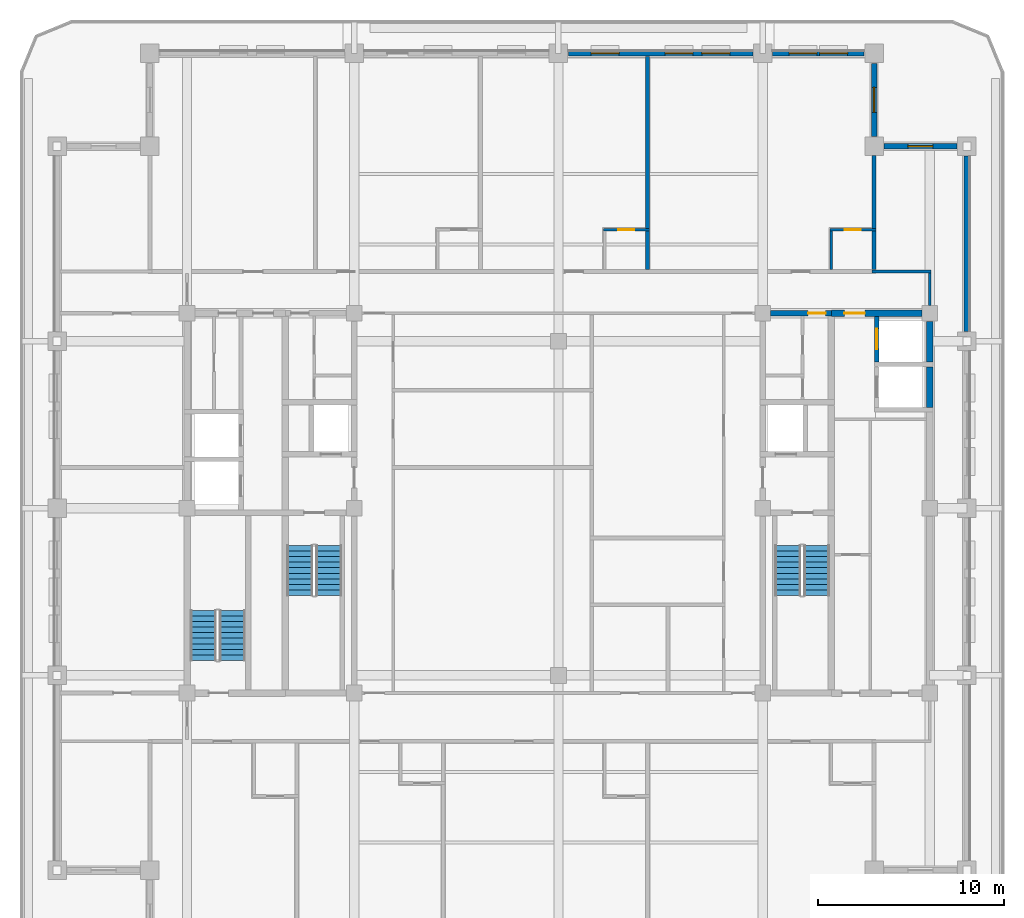
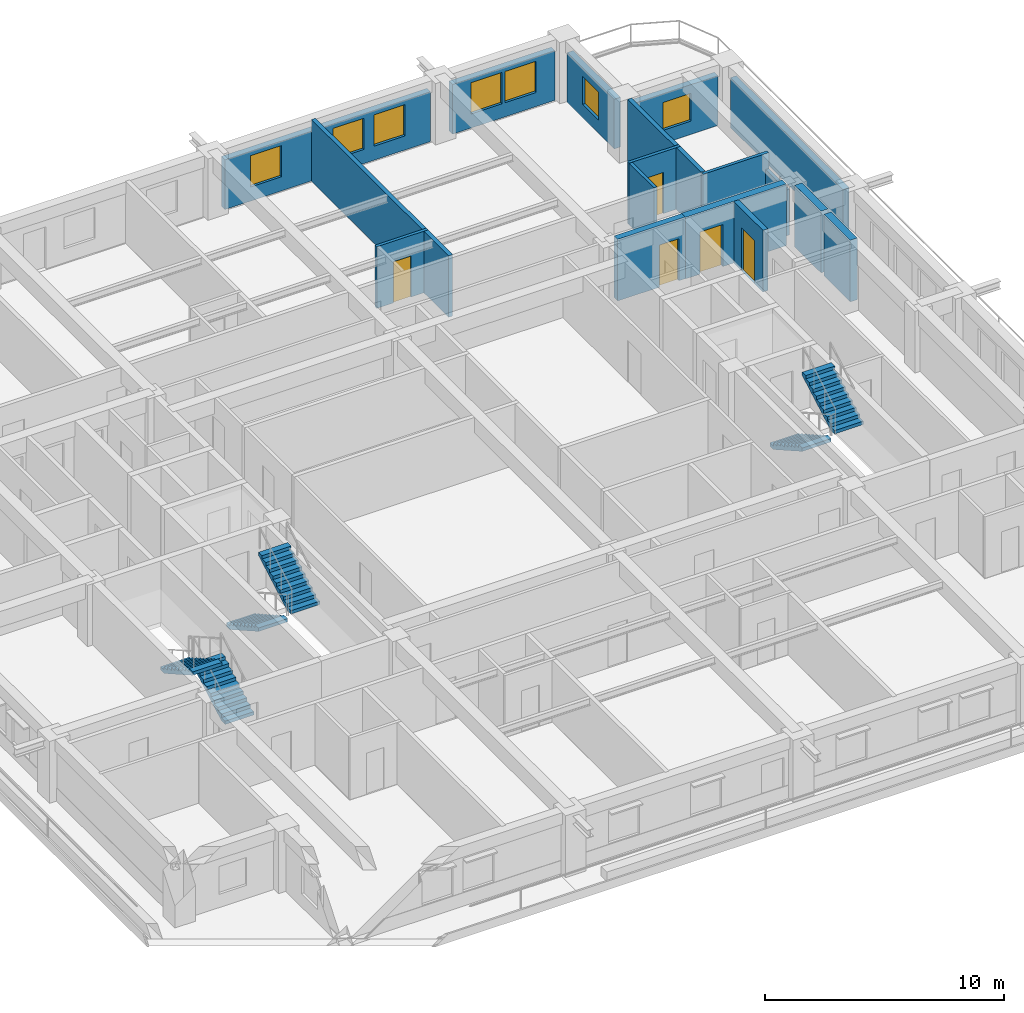
# One storey, part 7 of 14: 19 walls, 7 windows, 6 stair flights, 5 doors, 12 openings, 3 elements without a shape of their own.
"""IFC4 building model written with IfcOpenShell, lengths in metres."""

from ifc_helpers import new_model, si_unit, direction, frame, frame_2d, origin, place, context, subcontext, project, spatial, polyline, rectangle, outline, extrude, material, layer, layer_set, type_object, element, fill, aggregate, save


model = new_model("IFC4")

# Units and contexts
model_context = context("Model", 3, precision=1e-05, world=origin(), true_north=direction((0.0, 1.0)))
body_context = subcontext(model_context, "Body", "Model", "MODEL_VIEW")
ifc_project = project(units=[si_unit("LENGTHUNIT", "METRE"), si_unit("AREAUNIT", "SQUARE_METRE"), si_unit("VOLUMEUNIT", "CUBIC_METRE"), si_unit("PLANEANGLEUNIT", "RADIAN"), si_unit("MASSUNIT", "GRAM", prefix="KILO")], contexts=[model_context])

# Site, building, storey
site_placement = place(None, origin())
site = spatial("IfcSite", under=ifc_project, at=site_placement, CompositionType="ELEMENT")
building_placement = place(site_placement, origin())
building = spatial("IfcBuilding", under=site, at=building_placement, Name="Zulmaris Gate Convention Tower", CompositionType="ELEMENT")
storey_placement = place(building_placement, frame((0.0, 0.0, 205.06005859375)))
storey = spatial("IfcBuildingStorey", under=building, at=storey_placement, Name="L53", CompositionType="ELEMENT", Elevation=205.06005859375)

# Wall, opening, door
ifc_material_1 = material(Name="Concrete C50/60", Category="concrete")
ifc_layer_1 = layer(ifc_material_1, 0.25, Name="Concrete C50/60")
ifc_layer_set_1 = layer_set([ifc_layer_1], Name="Concrete C50/60")
wall_type_1 = type_object("IfcWallType", Name="CORE-250", PredefinedType="SOLIDWALL", material=ifc_layer_set_1)
wall_1_placement = place(storey_placement, frame((17.14990234375, 7.876953125, 0.0), z_axis=(0.0, 0.0, 1.0), x_axis=(0.0, 1.0, 0.0)))
wall_1 = element("IfcWall", 1, at=wall_1_placement, inside=storey, type_object=wall_type_1, Name="WL-L53-073", PredefinedType="SOLIDWALL", context=body_context, shape_type="SweptSolid", body=[
    extrude(rectangle(XDim=2.446044921875, YDim=0.25, at=frame_2d((1.22314453125, 0.0))), origin(), (0.0, 0.0, 1.0), 3.14990234375),
])
opening_1_placement = place(wall_1_placement, frame((0.697998046875, 0.0, 0.0)))
opening_1 = element("IfcOpeningElement", 2, at=opening_1_placement, cuts=wall_1, Name="Opening D-06", PredefinedType="OPENING", context=body_context, shape_type="SweptSolid", body=[
    extrude(rectangle(XDim=1.10009765625, YDim=2.199951171875, at=frame_2d((0.550048828125, 1.10009765625))), frame((0.0, 0.135009765625, 0.0), z_axis=(0.0, -1.0, 0.0), x_axis=(1.0, 0.0, 0.0)), (0.0, 0.0, 1.0), 0.27001953125),
])
ifc_material_2 = material(Name="Brushed Stainless Steel", Category="steel")
door_type_1 = type_object("IfcDoorType", Name="LD-1100", OperationType="NOTDEFINED", PredefinedType="DOOR", material=ifc_material_2)
door_1_placement = place(opening_1_placement, origin())
door_1 = element("IfcDoor", 3, at=door_1_placement, inside=storey, type_object=door_type_1, Name="L53 Lift Landing Door HP-02 20", OperationType="SLIDING_TO_RIGHT", OverallHeight=2.199951171875, OverallWidth=1.10009765625, PredefinedType="DOOR", context=body_context, shape_type="SweptSolid", body=[
    extrude(rectangle(XDim=1.10009765625, YDim=2.199951171875, at=frame_2d((0.550048828125, 1.10009765625))), frame((0.0, 0.02490234375, 0.0), z_axis=(0.0, -1.0, 0.0), x_axis=(1.0, 0.0, 0.0)), (0.0, 0.0, 1.0), 0.050048828125),
])
fill(opening_1, door_1)

ifc_layer_2 = layer(ifc_material_1, 0.300048828125, Name="Concrete C50/60")
ifc_layer_set_2 = layer_set([ifc_layer_2], Name="Concrete C50/60")
wall_type_2 = type_object("IfcWallType", Name="CORE-300", PredefinedType="SHEAR", material=ifc_layer_set_2)
wall_2_placement = place(storey_placement, frame((11.428955078125, 10.5, 0.0), z_axis=(0.0, 0.0, 1.0), x_axis=(1.0, 0.0, 0.0)))
wall_2 = element("IfcWall", 4, at=wall_2_placement, inside=storey, type_object=wall_type_2, Name="WL-L53-017", PredefinedType="SHEAR", context=body_context, shape_type="SweptSolid", body=[
    extrude(rectangle(XDim=3.27099609375, YDim=0.300048828125, at=frame_2d((1.635498046875, 0.0))), origin(), (0.0, 0.0, 1.0), 3.14990234375),
])
opening_2_placement = place(wall_2_placement, frame((2.01611328125, 0.0, 0.0)))
opening_2 = element("IfcOpeningElement", 5, at=opening_2_placement, cuts=wall_2, Name="Opening D-11", PredefinedType="OPENING", context=body_context, shape_type="SweptSolid", body=[
    extrude(rectangle(XDim=0.949951171875, YDim=2.14990234375, at=frame_2d((0.47509765625, 1.074951171875))), frame((0.0, 0.16015625, 0.0), z_axis=(0.0, -1.0, 0.0), x_axis=(1.0, 0.0, 0.0)), (0.0, 0.0, 1.0), 0.320068359375),
])
ifc_material_3 = material(Name="Fire-Rated Timber", Category="wood")
door_type_2 = type_object("IfcDoorType", Name="DR-950-FD", OperationType="NOTDEFINED", PredefinedType="DOOR", material=ifc_material_3)
door_2_placement = place(opening_2_placement, origin())
door_2 = element("IfcDoor", 6, at=door_2_placement, inside=storey, type_object=door_type_2, Name="L53 Core East Passage Door 10", OperationType="SINGLE_SWING_LEFT", OverallHeight=2.14990234375, OverallWidth=0.949951171875, PredefinedType="DOOR", context=body_context, shape_type="SweptSolid", body=[
    extrude(rectangle(XDim=0.949951171875, YDim=2.14990234375, at=frame_2d((0.47509765625, 1.074951171875))), frame((0.0, 0.02490234375, 0.0), z_axis=(0.0, -1.0, 0.0), x_axis=(1.0, 0.0, 0.0)), (0.0, 0.0, 1.0), 0.050048828125),
])
fill(opening_2, door_2)

ifc_material_4 = material(Name="Concrete C55/67", Category="concrete")
ifc_layer_3 = layer(ifc_material_4, 0.35009765625, Name="Concrete C55/67")
ifc_layer_set_3 = layer_set([ifc_layer_3], Name="Concrete C55/67")
wall_type_3 = type_object("IfcWallType", Name="CORE-350", PredefinedType="SHEAR", material=ifc_layer_set_3)
wall_3_placement = place(storey_placement, frame((14.699951171875, 10.5, 0.0), z_axis=(0.0, 0.0, 1.0), x_axis=(1.0, 0.0, 0.0)))
wall_3 = element("IfcWall", 7, at=wall_3_placement, inside=storey, type_object=wall_type_3, Name="WL-L53-018", PredefinedType="SHEAR", context=body_context, shape_type="SweptSolid", body=[
    extrude(rectangle(XDim=4.87109375, YDim=0.35009765625, at=frame_2d((2.435546875, 0.0))), origin(), (0.0, 0.0, 1.0), 3.14990234375),
])
opening_3_placement = place(wall_3_placement, frame((0.699951171875, 0.0, 0.0)))
opening_3 = element("IfcOpeningElement", 8, at=opening_3_placement, cuts=wall_3, Name="Opening D-08", PredefinedType="OPENING", context=body_context, shape_type="SweptSolid", body=[
    extrude(rectangle(XDim=1.10009765625, YDim=2.14990234375, at=frame_2d((0.550048828125, 1.074951171875))), frame((0.0, 0.18505859375, 0.0), z_axis=(0.0, -1.0, 0.0), x_axis=(1.0, 0.0, 0.0)), (0.0, 0.0, 1.0), 0.3701171875),
])
ifc_material_5 = material(Name="Fire-Rated Steel", Category="steel")
door_type_3 = type_object("IfcDoorType", Name="DR-1100-FD", OperationType="NOTDEFINED", PredefinedType="DOOR", material=ifc_material_5)
door_3_placement = place(opening_3_placement, origin())
door_3 = element("IfcDoor", 9, at=door_3_placement, inside=storey, type_object=door_type_3, Name="L53 High-Rise East Lift Lobby Door 21", OperationType="SINGLE_SWING_RIGHT", OverallHeight=2.14990234375, OverallWidth=1.10009765625, PredefinedType="DOOR", context=body_context, shape_type="SweptSolid", body=[
    extrude(rectangle(XDim=1.10009765625, YDim=2.14990234375, at=frame_2d((0.550048828125, 1.074951171875))), frame((0.0, 0.02490234375, 0.0), z_axis=(0.0, -1.0, 0.0), x_axis=(1.0, 0.0, 0.0)), (0.0, 0.0, 1.0), 0.050048828125),
])
fill(opening_3, door_3)

# Walls
wall_4_placement = place(storey_placement, frame((20.0, 5.427001953125, 0.0), z_axis=(0.0, 0.0, 1.0), x_axis=(0.0, 1.0, 0.0)))
element("IfcWall", 10, at=wall_4_placement, inside=storey, type_object=wall_type_3, Name="WL-L53-075", PredefinedType="SHEAR", context=body_context, shape_type="SweptSolid", body=[
    extrude(rectangle(XDim=2.196044921875, YDim=0.35009765625, at=frame_2d((1.09814453125, 0.0))), origin(), (0.0, 0.0, 1.0), 3.14990234375),
])
wall_5_placement = place(storey_placement, frame((20.0, 7.876953125, 0.0), z_axis=(0.0, 0.0, 1.0), x_axis=(0.0, 1.0, 0.0)))
element("IfcWall", 11, at=wall_5_placement, inside=storey, type_object=wall_type_3, Name="WL-L53-076", PredefinedType="SHEAR", context=body_context, shape_type="SweptSolid", body=[
    extrude(rectangle(XDim=2.194091796875, YDim=0.35009765625, at=frame_2d((1.09716796875, 0.0))), origin(), (0.0, 0.0, 1.0), 3.14990234375),
])
ifc_material_6 = material(Name="Gypsum Metal Stud Partition")
ifc_layer_4 = layer(ifc_material_6, 0.14990234375, Name="Gypsum Metal Stud Partition")
ifc_layer_set_4 = layer_set([ifc_layer_4], Name="Gypsum Metal Stud Partition")
wall_type_4 = type_object("IfcWallType", Name="PART-150", PredefinedType="PARTITIONING", material=ifc_layer_set_4)
wall_6_placement = place(storey_placement, frame((16.89990234375, 12.75, 0.0), z_axis=(0.0, 0.0, 1.0), x_axis=(1.0, 0.0, 0.0)))
element("IfcWall", 12, at=wall_6_placement, inside=storey, type_object=wall_type_4, Name="WL-L53-041", PredefinedType="PARTITIONING", context=body_context, shape_type="SweptSolid", body=[
    extrude(rectangle(XDim=3.175048828125, YDim=0.14990234375, at=frame_2d((1.58740234375, 0.0))), origin(), (0.0, 0.0, 1.0), 3.14990234375),
])

# Wall, opening, door
wall_7_placement = place(storey_placement, frame((2.425048828125, 15.0, 0.0), z_axis=(0.0, 0.0, 1.0), x_axis=(1.0, 0.0, 0.0)))
wall_7 = element("IfcWall", 13, at=wall_7_placement, inside=storey, type_object=wall_type_4, Name="WL-L53-043", PredefinedType="PARTITIONING", context=body_context, shape_type="SweptSolid", body=[
    extrude(rectangle(XDim=2.474853515625, YDim=0.14990234375, at=frame_2d((1.2373046875, 0.0))), origin(), (0.0, 0.0, 1.0), 3.14990234375),
])
opening_4_placement = place(wall_7_placement, frame((0.800048828125, 0.0, 0.0)))
opening_4 = element("IfcOpeningElement", 14, at=opening_4_placement, cuts=wall_7, Name="Opening D-17", PredefinedType="OPENING", context=body_context, shape_type="SweptSolid", body=[
    extrude(rectangle(XDim=0.85009765625, YDim=2.10009765625, at=frame_2d((0.425048828125, 1.050048828125))), frame((0.0, 0.0849609375, 0.0), z_axis=(0.0, -1.0, 0.0), x_axis=(1.0, 0.0, 0.0)), (0.0, 0.0, 1.0), 0.169921875),
])
ifc_material_7 = material(Name="Moisture-Resistant Hardwood Timber", Category="wood")
door_type_4 = type_object("IfcDoorType", Name="DR-850", OperationType="NOTDEFINED", PredefinedType="DOOR", material=ifc_material_7)
door_4_placement = place(opening_4_placement, origin())
door_4 = element("IfcDoor", 15, at=door_4_placement, inside=storey, type_object=door_type_4, Name="L53 En-Suite Door 33", OperationType="SINGLE_SWING_RIGHT", OverallHeight=2.10009765625, OverallWidth=0.85009765625, PredefinedType="DOOR", context=body_context, shape_type="SweptSolid", body=[
    extrude(rectangle(XDim=0.85009765625, YDim=2.10009765625, at=frame_2d((0.425048828125, 1.050048828125))), frame((0.0, 0.02490234375, 0.0), z_axis=(0.0, -1.0, 0.0), x_axis=(1.0, 0.0, 0.0)), (0.0, 0.0, 1.0), 0.050048828125),
])
fill(opening_4, door_4)

wall_8_placement = place(storey_placement, frame((14.625, 15.0, 0.0), z_axis=(0.0, 0.0, 1.0), x_axis=(1.0, 0.0, 0.0)))
wall_8 = element("IfcWall", 16, at=wall_8_placement, inside=storey, type_object=wall_type_4, Name="WL-L53-044", PredefinedType="PARTITIONING", context=body_context, shape_type="SweptSolid", body=[
    extrude(rectangle(XDim=2.47509765625, YDim=0.14990234375, at=frame_2d((1.237548828125, 0.0))), origin(), (0.0, 0.0, 1.0), 3.14990234375),
])
opening_5_placement = place(wall_8_placement, frame((0.800048828125, 0.0, 0.0)))
opening_5 = element("IfcOpeningElement", 17, at=opening_5_placement, cuts=wall_8, Name="Opening D-17", PredefinedType="OPENING", context=body_context, shape_type="SweptSolid", body=[
    extrude(rectangle(XDim=0.85009765625, YDim=2.10009765625, at=frame_2d((0.425048828125, 1.050048828125))), frame((0.0, 0.0849609375, 0.0), z_axis=(0.0, -1.0, 0.0), x_axis=(1.0, 0.0, 0.0)), (0.0, 0.0, 1.0), 0.169921875),
])
door_5_placement = place(opening_5_placement, origin())
door_5 = element("IfcDoor", 18, at=door_5_placement, inside=storey, type_object=door_type_4, Name="L53 En-Suite Door 35", OperationType="SINGLE_SWING_RIGHT", OverallHeight=2.10009765625, OverallWidth=0.85009765625, PredefinedType="DOOR", context=body_context, shape_type="SweptSolid", body=[
    extrude(rectangle(XDim=0.85009765625, YDim=2.10009765625, at=frame_2d((0.425048828125, 1.050048828125))), frame((0.0, 0.02490234375, 0.0), z_axis=(0.0, -1.0, 0.0), x_axis=(1.0, 0.0, 0.0)), (0.0, 0.0, 1.0), 0.050048828125),
])
fill(opening_5, door_5)

# Walls
wall_9_placement = place(storey_placement, frame((14.699951171875, 12.85302734375, 0.0), z_axis=(0.0, 0.0, 1.0), x_axis=(0.0, 1.0, 0.0)))
element("IfcWall", 19, at=wall_9_placement, inside=storey, type_object=wall_type_4, Name="WL-L53-116", PredefinedType="PARTITIONING", context=body_context, shape_type="SweptSolid", body=[
    extrude(rectangle(XDim=2.069091796875, YDim=0.14990234375, at=frame_2d((1.03466796875, 0.0))), origin(), (0.0, 0.0, 1.0), 3.14990234375),
])
wall_10_placement = place(storey_placement, frame((20.0, 10.930908203125, 0.0), z_axis=(0.0, 0.0, 1.0), x_axis=(0.0, 1.0, 0.0)))
element("IfcWall", 20, at=wall_10_placement, inside=storey, type_object=wall_type_4, Name="WL-L53-124", PredefinedType="PARTITIONING", context=body_context, shape_type="SweptSolid", body=[
    extrude(rectangle(XDim=1.7412109375, YDim=0.14990234375, at=frame_2d((0.87060546875, 0.0))), origin(), (0.0, 0.0, 1.0), 2.342041015625),
])
ifc_material_8 = material(Name="Autoclaved Aerated Concrete Block and Plasterboard", Category="concrete")
ifc_layer_5 = layer(ifc_material_8, 0.199951171875, Name="Autoclaved Aerated Concrete Block and Plasterboard")
ifc_layer_set_5 = layer_set([ifc_layer_5], Name="Autoclaved Aerated Concrete Block and Plasterboard")
wall_type_5 = type_object("IfcWallType", Name="PART-200", PredefinedType="PARTITIONING", material=ifc_layer_set_5)
wall_11_placement = place(storey_placement, frame((4.800048828125, 12.85302734375, 0.0), z_axis=(0.0, 0.0, 1.0), x_axis=(0.0, 1.0, 0.0)))
element("IfcWall", 21, at=wall_11_placement, inside=storey, type_object=wall_type_5, Name="WL-L53-107", PredefinedType="PARTITIONING", context=body_context, shape_type="SweptSolid", body=[
    extrude(rectangle(XDim=2.069091796875, YDim=0.199951171875, at=frame_2d((1.03466796875, 0.0))), origin(), (0.0, 0.0, 1.0), 3.14990234375),
])
wall_12_placement = place(storey_placement, frame((4.800048828125, 15.077880859375, 0.0), z_axis=(0.0, 0.0, 1.0), x_axis=(0.0, 1.0, 0.0)))
element("IfcWall", 22, at=wall_12_placement, inside=storey, type_object=wall_type_5, Name="WL-L53-108", PredefinedType="PARTITIONING", context=body_context, shape_type="SweptSolid", body=[
    extrude(rectangle(XDim=9.257080078125, YDim=0.199951171875, at=frame_2d((4.62841796875, 0.0))), origin(), (0.0, 0.0, 1.0), 3.14990234375),
])
wall_13_placement = place(storey_placement, frame((17.0, 12.85302734375, 0.0), z_axis=(0.0, 0.0, 1.0), x_axis=(0.0, 1.0, 0.0)))
element("IfcWall", 23, at=wall_13_placement, inside=storey, type_object=wall_type_5, Name="WL-L53-121", PredefinedType="PARTITIONING", context=body_context, shape_type="SweptSolid", body=[
    extrude(rectangle(XDim=2.069091796875, YDim=0.199951171875, at=frame_2d((1.03466796875, 0.0))), origin(), (0.0, 0.0, 1.0), 3.14990234375),
])
wall_14_placement = place(storey_placement, frame((17.0, 15.077880859375, 0.0), z_axis=(0.0, 0.0, 1.0), x_axis=(0.0, 1.0, 0.0)))
element("IfcWall", 24, at=wall_14_placement, inside=storey, type_object=wall_type_5, Name="WL-L53-122", PredefinedType="PARTITIONING", context=body_context, shape_type="SweptSolid", body=[
    extrude(rectangle(XDim=3.916015625, YDim=0.199951171875, at=frame_2d((1.9580078125, 0.0))), origin(), (0.0, 0.0, 1.0), 3.14990234375),
])

# Wall, opening, window
ifc_material_9 = material(Name="Precast concrete C40/50", Category="concrete")
ifc_layer_6 = layer(ifc_material_9, 0.300048828125, Name="Precast concrete C40/50")
ifc_layer_set_6 = layer_set([ifc_layer_6], Name="Precast concrete C40/50")
wall_type_6 = type_object("IfcWallType", Name="PRECAST-PIER-300", PredefinedType="STANDARD", material=ifc_layer_set_6)
wall_15_placement = place(storey_placement, frame((21.469970703125, 19.5, 0.0), z_axis=(0.0, 0.0, 1.0), x_axis=(-1.0, 0.0, 0.0)))
wall_15 = element("IfcWall", 25, at=wall_15_placement, inside=storey, type_object=wall_type_6, Name="EW-L53-NOTCH-NE1_0", PredefinedType="STANDARD", context=body_context, shape_type="SweptSolid", body=[
    extrude(rectangle(XDim=3.93994140625, YDim=0.300048828125, at=frame_2d((1.969970703125, 0.0))), origin(), (0.0, 0.0, 1.0), 2.5419921875),
])
opening_6_placement = place(wall_15_placement, frame((1.294921875, 0.0, 0.679931640625)))
opening_6 = element("IfcOpeningElement", 26, at=opening_6_placement, cuts=wall_15, Name="Opening W-10", PredefinedType="OPENING", context=body_context, shape_type="SweptSolid", body=[
    extrude(rectangle(XDim=1.35009765625, YDim=1.419921875, at=frame_2d((0.675048828125, 0.7099609375))), frame((0.0, 0.16015625, 0.0), z_axis=(0.0, -1.0, 0.0), x_axis=(1.0, 0.0, 0.0)), (0.0, 0.0, 1.0), 0.320068359375),
])
ifc_material_10 = material(Name="Low-E Laminated Double Glazing in Aluminium Frame", Category="aluminium")
window_type_1 = type_object("IfcWindowType", Name="WIN-1350x2000", PartitioningType="SINGLE_PANEL", PredefinedType="WINDOW", material=ifc_material_10)
window_1_placement = place(opening_6_placement, origin())
window_1 = element("IfcWindow", 27, at=window_1_placement, inside=storey, type_object=window_type_1, Name="WN-EW-L53-NOTCH-NE1_0", OverallHeight=1.419921875, OverallWidth=1.35009765625, PartitioningType="SINGLE_PANEL", PredefinedType="WINDOW", context=body_context, shape_type="SweptSolid", body=[
    extrude(rectangle(XDim=1.35009765625, YDim=1.419921875, at=frame_2d((0.675048828125, 0.7099609375))), frame((0.0, 0.030029296875, 0.0), z_axis=(0.0, -1.0, 0.0), x_axis=(1.0, 0.0, 0.0)), (0.0, 0.0, 1.0), 0.06005859375),
])
fill(opening_6, window_1)

wall_16_placement = place(storey_placement, frame((17.0, 20.030029296875, 0.0), z_axis=(0.0, 0.0, 1.0), x_axis=(0.0, 1.0, 0.0)))
wall_16 = element("IfcWall", 28, at=wall_16_placement, inside=storey, type_object=wall_type_6, Name="EW-L53-NOTCH-NE2_0", PredefinedType="STANDARD", context=body_context, shape_type="SweptSolid", body=[
    extrude(rectangle(XDim=3.93994140625, YDim=0.300048828125, at=frame_2d((1.969970703125, 0.0))), origin(), (0.0, 0.0, 1.0), 2.5419921875),
])
opening_7_placement = place(wall_16_placement, frame((1.294921875, 0.0, 0.679931640625)))
opening_7 = element("IfcOpeningElement", 29, at=opening_7_placement, cuts=wall_16, Name="Opening W-10", PredefinedType="OPENING", context=body_context, shape_type="SweptSolid", body=[
    extrude(rectangle(XDim=1.35009765625, YDim=1.419921875, at=frame_2d((0.675048828125, 0.7099609375))), frame((0.0, 0.16015625, 0.0), z_axis=(0.0, -1.0, 0.0), x_axis=(1.0, 0.0, 0.0)), (0.0, 0.0, 1.0), 0.320068359375),
])
window_2_placement = place(opening_7_placement, origin())
window_2 = element("IfcWindow", 30, at=window_2_placement, inside=storey, type_object=window_type_1, Name="WN-EW-L53-NOTCH-NE2_0", OverallHeight=1.419921875, OverallWidth=1.35009765625, PartitioningType="SINGLE_PANEL", PredefinedType="WINDOW", context=body_context, shape_type="SweptSolid", body=[
    extrude(rectangle(XDim=1.35009765625, YDim=1.419921875, at=frame_2d((0.675048828125, 0.7099609375))), frame((0.0, 0.030029296875, 0.0), z_axis=(0.0, -1.0, 0.0), x_axis=(1.0, 0.0, 0.0)), (0.0, 0.0, 1.0), 0.06005859375),
])
fill(opening_7, window_2)

# Wall, openings, windows
wall_17_placement = place(storey_placement, frame((10.469970703125, 24.5, 0.0), z_axis=(0.0, 0.0, 1.0), x_axis=(-1.0, 0.0, 0.0)))
wall_17 = element("IfcWall", 31, at=wall_17_placement, inside=storey, type_object=wall_type_6, Name="EW-L53-N-2_0", PredefinedType="STANDARD", context=body_context, shape_type="SweptSolid", body=[
    extrude(rectangle(XDim=9.93994140625, YDim=0.300048828125, at=frame_2d((4.969970703125, 0.0))), origin(), (0.0, 0.0, 1.0), 2.5419921875),
])
opening_8_placement = place(wall_17_placement, frame((1.238037109375, 0.0, 0.719970703125)))
opening_8 = element("IfcOpeningElement", 32, at=opening_8_placement, cuts=wall_17, Name="Opening W-03", PredefinedType="OPENING", context=body_context, shape_type="SweptSolid", body=[
    extrude(rectangle(XDim=1.5, YDim=1.60009765625, at=frame_2d((0.75, 0.800048828125))), frame((0.0, 0.16015625, 0.0), z_axis=(0.0, -1.0, 0.0), x_axis=(1.0, 0.0, 0.0)), (0.0, 0.0, 1.0), 0.320068359375),
])
opening_9_placement = place(wall_17_placement, frame((3.22607421875, 0.0, 0.719970703125)))
opening_9 = element("IfcOpeningElement", 33, at=opening_9_placement, cuts=wall_17, Name="Opening W-03", PredefinedType="OPENING", context=body_context, shape_type="SweptSolid", body=[
    extrude(rectangle(XDim=1.5, YDim=1.60009765625, at=frame_2d((0.75, 0.800048828125))), frame((0.0, 0.16015625, 0.0), z_axis=(0.0, -1.0, 0.0), x_axis=(1.0, 0.0, 0.0)), (0.0, 0.0, 1.0), 0.320068359375),
])
opening_10_placement = place(wall_17_placement, frame((7.201904296875, 0.0, 0.719970703125)))
opening_10 = element("IfcOpeningElement", 34, at=opening_10_placement, cuts=wall_17, Name="Opening W-03", PredefinedType="OPENING", context=body_context, shape_type="SweptSolid", body=[
    extrude(rectangle(XDim=1.5, YDim=1.60009765625, at=frame_2d((0.75, 0.800048828125))), frame((0.0, 0.16015625, 0.0), z_axis=(0.0, -1.0, 0.0), x_axis=(1.0, 0.0, 0.0)), (0.0, 0.0, 1.0), 0.320068359375),
])
window_type_2 = type_object("IfcWindowType", Name="WIN-1500x2100", PartitioningType="SINGLE_PANEL", PredefinedType="WINDOW", material=ifc_material_10)
window_3_placement = place(opening_8_placement, origin())
window_3 = element("IfcWindow", 35, at=window_3_placement, inside=storey, type_object=window_type_2, Name="WN-EW-L53-N-2_0-1", OverallHeight=1.60009765625, OverallWidth=1.5, PartitioningType="SINGLE_PANEL", PredefinedType="WINDOW", context=body_context, shape_type="SweptSolid", body=[
    extrude(rectangle(XDim=1.5, YDim=1.60009765625, at=frame_2d((0.75, 0.800048828125))), frame((0.0, 0.030029296875, 0.0), z_axis=(0.0, -1.0, 0.0), x_axis=(1.0, 0.0, 0.0)), (0.0, 0.0, 1.0), 0.06005859375),
])
fill(opening_8, window_3)
window_4_placement = place(opening_9_placement, origin())
window_4 = element("IfcWindow", 36, at=window_4_placement, inside=storey, type_object=window_type_2, Name="WN-EW-L53-N-2_0-2", OverallHeight=1.60009765625, OverallWidth=1.5, PartitioningType="SINGLE_PANEL", PredefinedType="WINDOW", context=body_context, shape_type="SweptSolid", body=[
    extrude(rectangle(XDim=1.5, YDim=1.60009765625, at=frame_2d((0.75, 0.800048828125))), frame((0.0, 0.030029296875, 0.0), z_axis=(0.0, -1.0, 0.0), x_axis=(1.0, 0.0, 0.0)), (0.0, 0.0, 1.0), 0.06005859375),
])
fill(opening_9, window_4)
window_5_placement = place(opening_10_placement, origin())
window_5 = element("IfcWindow", 37, at=window_5_placement, inside=storey, type_object=window_type_2, Name="WN-EW-L53-N-2_0-4", OverallHeight=1.60009765625, OverallWidth=1.5, PartitioningType="SINGLE_PANEL", PredefinedType="WINDOW", context=body_context, shape_type="SweptSolid", body=[
    extrude(rectangle(XDim=1.5, YDim=1.60009765625, at=frame_2d((0.75, 0.800048828125))), frame((0.0, 0.030029296875, 0.0), z_axis=(0.0, -1.0, 0.0), x_axis=(1.0, 0.0, 0.0)), (0.0, 0.0, 1.0), 0.06005859375),
])
fill(opening_10, window_5)

wall_18_placement = place(storey_placement, frame((16.469970703125, 24.5, 0.0), z_axis=(0.0, 0.0, 1.0), x_axis=(-1.0, 0.0, 0.0)))
wall_18 = element("IfcWall", 38, at=wall_18_placement, inside=storey, type_object=wall_type_6, Name="EW-L53-N-3_0", PredefinedType="STANDARD", context=body_context, shape_type="SweptSolid", body=[
    extrude(rectangle(XDim=4.93994140625, YDim=0.300048828125, at=frame_2d((2.469970703125, 0.0))), origin(), (0.0, 0.0, 1.0), 2.5419921875),
])
opening_11_placement = place(wall_18_placement, frame((0.89697265625, 0.0, 0.719970703125)))
opening_11 = element("IfcOpeningElement", 39, at=opening_11_placement, cuts=wall_18, Name="Opening W-03", PredefinedType="OPENING", context=body_context, shape_type="SweptSolid", body=[
    extrude(rectangle(XDim=1.5, YDim=1.60009765625, at=frame_2d((0.75, 0.800048828125))), frame((0.0, 0.16015625, 0.0), z_axis=(0.0, -1.0, 0.0), x_axis=(1.0, 0.0, 0.0)), (0.0, 0.0, 1.0), 0.320068359375),
])
opening_12_placement = place(wall_18_placement, frame((2.54296875, 0.0, 0.719970703125)))
opening_12 = element("IfcOpeningElement", 40, at=opening_12_placement, cuts=wall_18, Name="Opening W-03", PredefinedType="OPENING", context=body_context, shape_type="SweptSolid", body=[
    extrude(rectangle(XDim=1.5, YDim=1.60009765625, at=frame_2d((0.75, 0.800048828125))), frame((0.0, 0.16015625, 0.0), z_axis=(0.0, -1.0, 0.0), x_axis=(1.0, 0.0, 0.0)), (0.0, 0.0, 1.0), 0.320068359375),
])
window_6_placement = place(opening_11_placement, origin())
window_6 = element("IfcWindow", 41, at=window_6_placement, inside=storey, type_object=window_type_2, Name="WN-EW-L53-N-3_0-1", OverallHeight=1.60009765625, OverallWidth=1.5, PartitioningType="SINGLE_PANEL", PredefinedType="WINDOW", context=body_context, shape_type="SweptSolid", body=[
    extrude(rectangle(XDim=1.5, YDim=1.60009765625, at=frame_2d((0.75, 0.800048828125))), frame((0.0, 0.030029296875, 0.0), z_axis=(0.0, -1.0, 0.0), x_axis=(1.0, 0.0, 0.0)), (0.0, 0.0, 1.0), 0.06005859375),
])
fill(opening_11, window_6)
window_7_placement = place(opening_12_placement, origin())
window_7 = element("IfcWindow", 42, at=window_7_placement, inside=storey, type_object=window_type_2, Name="WN-EW-L53-N-3_0-2", OverallHeight=1.60009765625, OverallWidth=1.5, PartitioningType="SINGLE_PANEL", PredefinedType="WINDOW", context=body_context, shape_type="SweptSolid", body=[
    extrude(rectangle(XDim=1.5, YDim=1.60009765625, at=frame_2d((0.75, 0.800048828125))), frame((0.0, 0.030029296875, 0.0), z_axis=(0.0, -1.0, 0.0), x_axis=(1.0, 0.0, 0.0)), (0.0, 0.0, 1.0), 0.06005859375),
])
fill(opening_12, window_7)

# Wall
wall_19_placement = place(storey_placement, frame((22.0, 9.530029296875, 0.0), z_axis=(0.0, 0.0, 1.0), x_axis=(0.0, 1.0, 0.0)))
element("IfcWall", 43, at=wall_19_placement, inside=storey, type_object=wall_type_6, Name="EW-L53-E-3_0", PredefinedType="STANDARD", context=body_context, shape_type="SweptSolid", body=[
    extrude(rectangle(XDim=9.43994140625, YDim=0.300048828125, at=frame_2d((4.719970703125, 0.0))), origin(), (0.0, 0.0, 1.0), 2.5419921875),
])

# Stair, stair flights
ifc_material_11 = material(Name="Concrete C45/55", Category="concrete")
stair_type = type_object("IfcStairType", Name="ST-CORE-DOGLEG", PredefinedType="HALF_TURN_STAIR", material=ifc_material_11)
stair_1_placement = place(storey_placement, origin())
stair_1 = element("IfcStair", 44, at=stair_1_placement, inside=storey, type_object=stair_type, Name="L53 Core Exit Stair ST-1", PredefinedType="HALF_TURN_STAIR")
ifc_layer_7 = layer(ifc_material_11, 0.14990234375, Name="Concrete C45/55")
ifc_layer_set_7 = layer_set([ifc_layer_7], Name="Concrete C45/55")
stair_flight_type = type_object("IfcStairFlightType", Name="STF-RC150", PredefinedType="STRAIGHT", material=ifc_layer_set_7)
stair_flight_1_placement = place(storey_placement, frame((-13.919921875, -2.0, 0.0), z_axis=(0.0, 0.0, 1.0), x_axis=(0.0, -1.0, 0.0)))
stair_flight_1 = element("IfcStairFlight", 45, at=stair_flight_1_placement, type_object=stair_flight_type, Name="ST-1 flight 1", NumberOfRisers=10, NumberOfTreads=9, PredefinedType="STRAIGHT", RiserHeight=0.169995, TreadLength=0.3, context=body_context, shape_type="SweptSolid", body=[
    extrude(outline(polyline([(0.0, 0.0), (0.0, 0.169921875), (0.300048828125, 0.169921875), (0.300048828125, 0.340087890625), (0.60009765625, 0.340087890625), (0.60009765625, 0.510009765625), (0.89990234375, 0.510009765625), (0.89990234375, 0.679931640625), (1.199951171875, 0.679931640625), (1.199951171875, 0.849853515625), (1.5, 0.849853515625), (1.5, 1.02001953125), (1.800048828125, 1.02001953125), (1.800048828125, 1.18994140625), (2.10009765625, 1.18994140625), (2.10009765625, 1.35986328125), (2.39990234375, 1.35986328125), (2.39990234375, 1.530029296875), (2.699951171875, 1.530029296875), (2.699951171875, 1.699951171875), (2.699951171875, 1.357666015625), (0.303955078125, 0.0), (0.0, 0.0)])), frame((0.0, 0.699951171875, 0.0), z_axis=(0.0, -1.0, 0.0), x_axis=(1.0, 0.0, 0.0)), (0.0, 0.0, 1.0), 1.39990234375),
])
stair_flight_2_placement = place(storey_placement, frame((-12.360107421875, -4.699951171875, 1.699951171875), z_axis=(0.0, 0.0, 1.0), x_axis=(0.0, 1.0, 0.0)))
stair_flight_2 = element("IfcStairFlight", 46, at=stair_flight_2_placement, type_object=stair_flight_type, Name="ST-1 flight 2", NumberOfRisers=10, NumberOfTreads=9, PredefinedType="STRAIGHT", RiserHeight=0.169995, TreadLength=0.3, context=body_context, shape_type="SweptSolid", body=[
    extrude(outline(polyline([(0.0, 0.0), (0.0, 0.169921875), (0.300048828125, 0.169921875), (0.300048828125, 0.340087890625), (0.60009765625, 0.340087890625), (0.60009765625, 0.510009765625), (0.89990234375, 0.510009765625), (0.89990234375, 0.679931640625), (1.199951171875, 0.679931640625), (1.199951171875, 0.849853515625), (1.5, 0.849853515625), (1.5, 1.02001953125), (1.800048828125, 1.02001953125), (1.800048828125, 1.18994140625), (2.10009765625, 1.18994140625), (2.10009765625, 1.35986328125), (2.39990234375, 1.35986328125), (2.39990234375, 1.530029296875), (2.699951171875, 1.530029296875), (2.699951171875, 1.699951171875), (2.699951171875, 1.357666015625), (0.303955078125, 0.0), (0.0, 0.0)])), frame((0.0, 0.699951171875, 0.0), z_axis=(0.0, -1.0, 0.0), x_axis=(1.0, 0.0, 0.0)), (0.0, 0.0, 1.0), 1.39990234375),
])
aggregate(stair_1, [stair_flight_1, stair_flight_2])

stair_2_placement = place(storey_placement, origin())
stair_2 = element("IfcStair", 47, at=stair_2_placement, inside=storey, type_object=stair_type, Name="L53 Core Exit Stair ST-2", PredefinedType="HALF_TURN_STAIR")
stair_flight_3_placement = place(storey_placement, frame((12.360107421875, -2.0, 0.0), z_axis=(0.0, 0.0, 1.0), x_axis=(0.0, -1.0, 0.0)))
stair_flight_3 = element("IfcStairFlight", 48, at=stair_flight_3_placement, type_object=stair_flight_type, Name="ST-2 flight 1", NumberOfRisers=10, NumberOfTreads=9, PredefinedType="STRAIGHT", RiserHeight=0.169995, TreadLength=0.3, context=body_context, shape_type="SweptSolid", body=[
    extrude(outline(polyline([(0.0, 0.0), (0.0, 0.169921875), (0.300048828125, 0.169921875), (0.300048828125, 0.340087890625), (0.60009765625, 0.340087890625), (0.60009765625, 0.510009765625), (0.89990234375, 0.510009765625), (0.89990234375, 0.679931640625), (1.199951171875, 0.679931640625), (1.199951171875, 0.849853515625), (1.5, 0.849853515625), (1.5, 1.02001953125), (1.800048828125, 1.02001953125), (1.800048828125, 1.18994140625), (2.10009765625, 1.18994140625), (2.10009765625, 1.35986328125), (2.39990234375, 1.35986328125), (2.39990234375, 1.530029296875), (2.699951171875, 1.530029296875), (2.699951171875, 1.699951171875), (2.699951171875, 1.357666015625), (0.303955078125, 0.0), (0.0, 0.0)])), frame((0.0, 0.699951171875, 0.0), z_axis=(0.0, -1.0, 0.0), x_axis=(1.0, 0.0, 0.0)), (0.0, 0.0, 1.0), 1.39990234375),
])
stair_flight_4_placement = place(storey_placement, frame((13.919921875, -4.699951171875, 1.699951171875), z_axis=(0.0, 0.0, 1.0), x_axis=(0.0, 1.0, 0.0)))
stair_flight_4 = element("IfcStairFlight", 49, at=stair_flight_4_placement, type_object=stair_flight_type, Name="ST-2 flight 2", NumberOfRisers=10, NumberOfTreads=9, PredefinedType="STRAIGHT", RiserHeight=0.169995, TreadLength=0.3, context=body_context, shape_type="SweptSolid", body=[
    extrude(outline(polyline([(0.0, 0.0), (0.0, 0.169921875), (0.300048828125, 0.169921875), (0.300048828125, 0.340087890625), (0.60009765625, 0.340087890625), (0.60009765625, 0.510009765625), (0.89990234375, 0.510009765625), (0.89990234375, 0.679931640625), (1.199951171875, 0.679931640625), (1.199951171875, 0.849853515625), (1.5, 0.849853515625), (1.5, 1.02001953125), (1.800048828125, 1.02001953125), (1.800048828125, 1.18994140625), (2.10009765625, 1.18994140625), (2.10009765625, 1.35986328125), (2.39990234375, 1.35986328125), (2.39990234375, 1.530029296875), (2.699951171875, 1.530029296875), (2.699951171875, 1.699951171875), (2.699951171875, 1.357666015625), (0.303955078125, 0.0), (0.0, 0.0)])), frame((0.0, 0.699951171875, 0.0), z_axis=(0.0, -1.0, 0.0), x_axis=(1.0, 0.0, 0.0)), (0.0, 0.0, 1.0), 1.39990234375),
])
aggregate(stair_2, [stair_flight_3, stair_flight_4])

stair_3_placement = place(storey_placement, origin())
stair_3 = element("IfcStair", 50, at=stair_3_placement, inside=storey, type_object=stair_type, Name="L53 Core Exit Stair ST-3", PredefinedType="HALF_TURN_STAIR")
stair_flight_5_placement = place(storey_placement, frame((-17.56005859375, -8.199951171875, 0.0), z_axis=(0.0, 0.0, 1.0), x_axis=(0.0, 1.0, 0.0)))
stair_flight_5 = element("IfcStairFlight", 51, at=stair_flight_5_placement, type_object=stair_flight_type, Name="ST-3 flight 1", NumberOfRisers=10, NumberOfTreads=9, PredefinedType="STRAIGHT", RiserHeight=0.169995, TreadLength=0.3, context=body_context, shape_type="SweptSolid", body=[
    extrude(outline(polyline([(0.0, 0.0), (0.0, 0.169921875), (0.300048828125, 0.169921875), (0.300048828125, 0.340087890625), (0.60009765625, 0.340087890625), (0.60009765625, 0.510009765625), (0.89990234375, 0.510009765625), (0.89990234375, 0.679931640625), (1.199951171875, 0.679931640625), (1.199951171875, 0.849853515625), (1.5, 0.849853515625), (1.5, 1.02001953125), (1.800048828125, 1.02001953125), (1.800048828125, 1.18994140625), (2.10009765625, 1.18994140625), (2.10009765625, 1.35986328125), (2.39990234375, 1.35986328125), (2.39990234375, 1.530029296875), (2.699951171875, 1.530029296875), (2.699951171875, 1.699951171875), (2.699951171875, 1.357666015625), (0.303955078125, 0.0), (0.0, 0.0)])), frame((0.0, 0.699951171875, 0.0), z_axis=(0.0, -1.0, 0.0), x_axis=(1.0, 0.0, 0.0)), (0.0, 0.0, 1.0), 1.39990234375),
])
stair_flight_6_placement = place(storey_placement, frame((-19.1201171875, -5.5, 1.699951171875), z_axis=(0.0, 0.0, 1.0), x_axis=(0.0, -1.0, 0.0)))
stair_flight_6 = element("IfcStairFlight", 52, at=stair_flight_6_placement, type_object=stair_flight_type, Name="ST-3 flight 2", NumberOfRisers=10, NumberOfTreads=9, PredefinedType="STRAIGHT", RiserHeight=0.169995, TreadLength=0.3, context=body_context, shape_type="SweptSolid", body=[
    extrude(outline(polyline([(0.0, 0.0), (0.0, 0.169921875), (0.300048828125, 0.169921875), (0.300048828125, 0.340087890625), (0.60009765625, 0.340087890625), (0.60009765625, 0.510009765625), (0.89990234375, 0.510009765625), (0.89990234375, 0.679931640625), (1.199951171875, 0.679931640625), (1.199951171875, 0.849853515625), (1.5, 0.849853515625), (1.5, 1.02001953125), (1.800048828125, 1.02001953125), (1.800048828125, 1.18994140625), (2.10009765625, 1.18994140625), (2.10009765625, 1.35986328125), (2.39990234375, 1.35986328125), (2.39990234375, 1.530029296875), (2.699951171875, 1.530029296875), (2.699951171875, 1.699951171875), (2.699951171875, 1.357666015625), (0.303955078125, 0.0), (0.0, 0.0)])), frame((0.0, 0.699951171875, 0.0), z_axis=(0.0, -1.0, 0.0), x_axis=(1.0, 0.0, 0.0)), (0.0, 0.0, 1.0), 1.39990234375),
])
aggregate(stair_3, [stair_flight_5, stair_flight_6])

save(model, "model.ifc")
